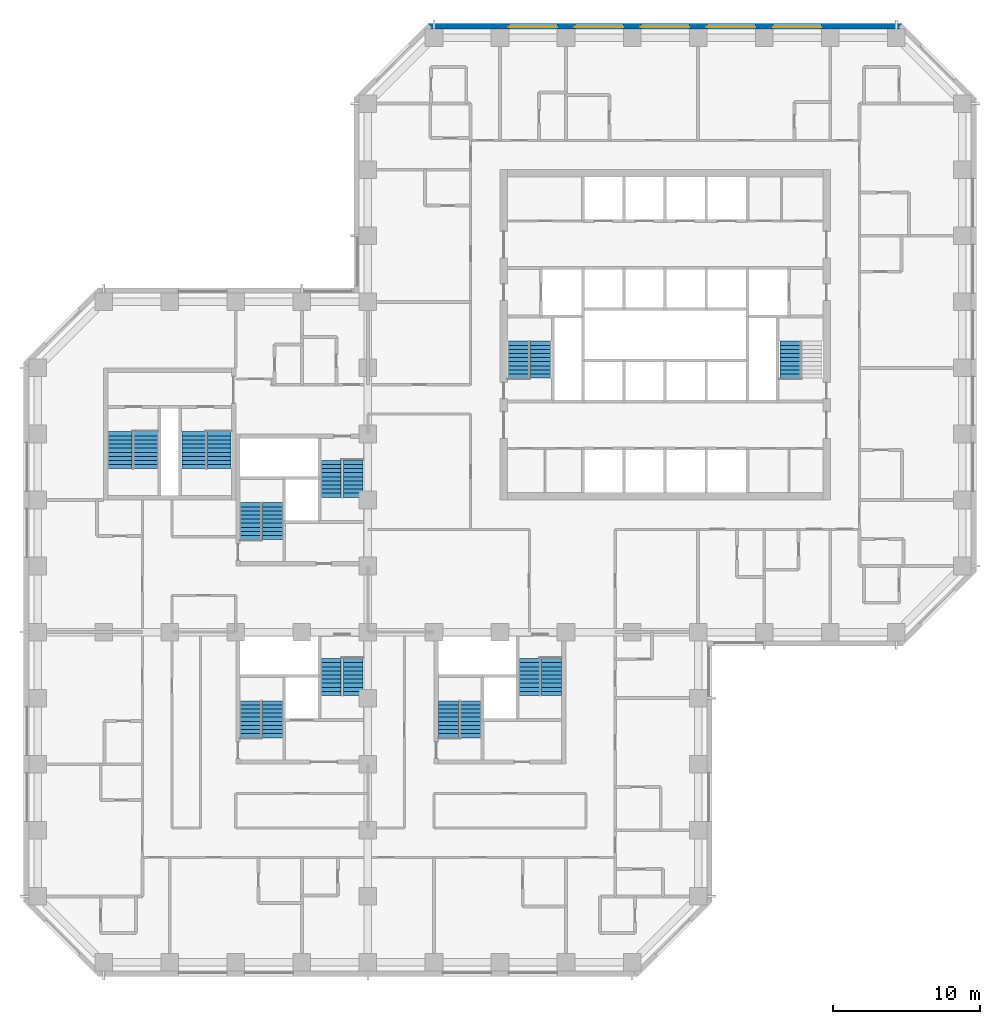
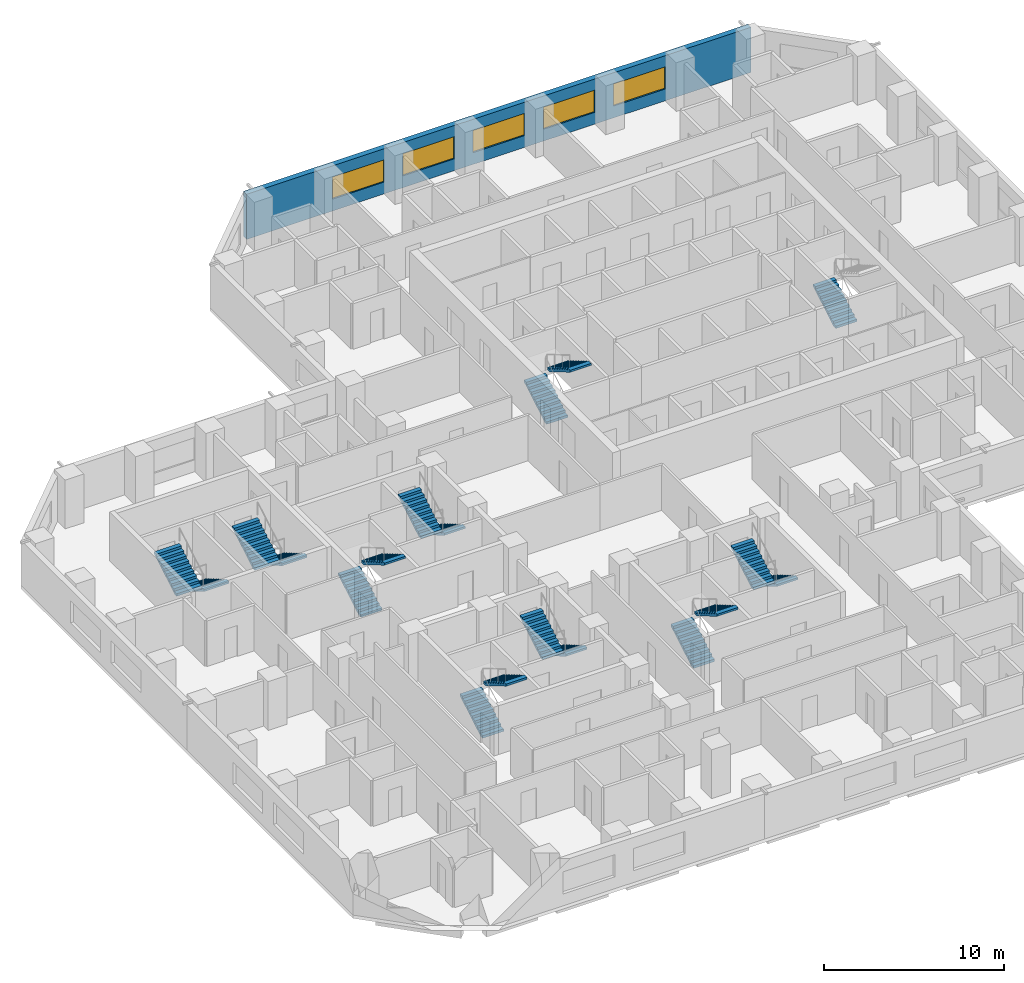
# One storey, part 11 of 13: 19 stair flights, 5 windows, 1 wall, 5 openings, 10 elements without a shape of their own.
"""IFC4 building model written with IfcOpenShell, lengths in metres."""

from ifc_helpers import new_model, si_unit, direction, frame, frame_2d, origin, place, context, subcontext, project, spatial, polyline, rectangle, outline, extrude, material, layer, layer_set, constituent, constituent_set, type_object, element, fill, aggregate, save


model = new_model("IFC4")

# Units and contexts
model_context = context("Model", 3, precision=1e-05, world=origin(), true_north=direction((0.0, 1.0)))
body_context = subcontext(model_context, "Body", "Model", "MODEL_VIEW")
ifc_project = project(units=[si_unit("LENGTHUNIT", "METRE"), si_unit("AREAUNIT", "SQUARE_METRE"), si_unit("VOLUMEUNIT", "CUBIC_METRE"), si_unit("PLANEANGLEUNIT", "RADIAN"), si_unit("MASSUNIT", "GRAM", prefix="KILO")], contexts=[model_context])

# Site, building, storey
site_placement = place(None, origin())
site = spatial("IfcSite", under=ifc_project, at=site_placement, CompositionType="ELEMENT")
building_placement = place(site_placement, origin())
building = spatial("IfcBuilding", under=site, at=building_placement, Name="Quoin Convention Tower", CompositionType="ELEMENT")
storey_placement = place(building_placement, frame((0.0, 0.0, 62.699951171875)))
storey = spatial("IfcBuildingStorey", under=building, at=storey_placement, Name="L16", CompositionType="ELEMENT", Elevation=62.699951171875)

# Wall, openings, windows
ifc_material_1 = material(Name="Brick masonry", Category="masonry")
ifc_layer = layer(ifc_material_1, 0.35009765625)
ifc_layer_set = layer_set([ifc_layer], Name="Brick masonry")
wall_type = type_object("IfcWallType", Name="Brick facade wall", PredefinedType="STANDARD", material=ifc_layer_set)
wall_placement = place(storey_placement, frame((72.3935546875, 81.77490234375, 0.0), z_axis=(0.0, 0.0, 1.0), x_axis=(-1.0, 0.0, 0.0)))
wall = element("IfcWall", 1, at=wall_placement, inside=storey, type_object=wall_type, Name="fw-L16-72000_81000", PredefinedType="STANDARD", context=body_context, shape_type="SweptSolid", body=[
    extrude(rectangle(XDim=32.287109375, YDim=0.35009765625, at=frame_2d((16.1435546875, 0.0))), origin(), (0.0, 0.0, 1.0), 3.054931640625),
])
opening_1_placement = place(wall_placement, frame((5.493408203125, 0.0, 0.800048828125)))
opening_1 = element("IfcOpeningElement", 2, at=opening_1_placement, cuts=wall, Name="Opening W-01", PredefinedType="OPENING", context=body_context, shape_type="SweptSolid", body=[
    extrude(rectangle(XDim=3.300048828125, YDim=1.5, at=frame_2d((1.64990234375, 0.75))), frame((0.0, 0.18505859375, 0.0), z_axis=(0.0, -1.0, 0.0), x_axis=(1.0, 0.0, 0.0)), (0.0, 0.0, 1.0), 0.3701171875),
])
opening_2_placement = place(wall_placement, frame((9.993408203125, 0.0, 0.800048828125)))
opening_2 = element("IfcOpeningElement", 3, at=opening_2_placement, cuts=wall, Name="Opening W-01", PredefinedType="OPENING", context=body_context, shape_type="SweptSolid", body=[
    extrude(rectangle(XDim=3.300048828125, YDim=1.5, at=frame_2d((1.64990234375, 0.75))), frame((0.0, 0.18505859375, 0.0), z_axis=(0.0, -1.0, 0.0), x_axis=(1.0, 0.0, 0.0)), (0.0, 0.0, 1.0), 0.3701171875),
])
opening_3_placement = place(wall_placement, frame((14.493408203125, 0.0, 0.800048828125)))
opening_3 = element("IfcOpeningElement", 4, at=opening_3_placement, cuts=wall, Name="Opening W-01", PredefinedType="OPENING", context=body_context, shape_type="SweptSolid", body=[
    extrude(rectangle(XDim=3.300048828125, YDim=1.5, at=frame_2d((1.64990234375, 0.75))), frame((0.0, 0.18505859375, 0.0), z_axis=(0.0, -1.0, 0.0), x_axis=(1.0, 0.0, 0.0)), (0.0, 0.0, 1.0), 0.3701171875),
])
opening_4_placement = place(wall_placement, frame((18.993408203125, 0.0, 0.800048828125)))
opening_4 = element("IfcOpeningElement", 5, at=opening_4_placement, cuts=wall, Name="Opening W-01", PredefinedType="OPENING", context=body_context, shape_type="SweptSolid", body=[
    extrude(rectangle(XDim=3.300048828125, YDim=1.5, at=frame_2d((1.64990234375, 0.75))), frame((0.0, 0.18505859375, 0.0), z_axis=(0.0, -1.0, 0.0), x_axis=(1.0, 0.0, 0.0)), (0.0, 0.0, 1.0), 0.3701171875),
])
opening_5_placement = place(wall_placement, frame((23.493408203125, 0.0, 0.800048828125)))
opening_5 = element("IfcOpeningElement", 6, at=opening_5_placement, cuts=wall, Name="Opening W-01", PredefinedType="OPENING", context=body_context, shape_type="SweptSolid", body=[
    extrude(rectangle(XDim=3.300048828125, YDim=1.5, at=frame_2d((1.64990234375, 0.75))), frame((0.0, 0.18505859375, 0.0), z_axis=(0.0, -1.0, 0.0), x_axis=(1.0, 0.0, 0.0)), (0.0, 0.0, 1.0), 0.3701171875),
])
ifc_material_2 = material(Name="Aluminium", Category="aluminium")
ifc_constituent_1 = constituent(ifc_material_2, Name="Frame")
ifc_material_3 = material(Name="Insulated glass", Category="glass")
ifc_constituent_2 = constituent(ifc_material_3, Name="Glazing")
ifc_constituent_set = constituent_set(constituents=[ifc_constituent_1, ifc_constituent_2], Name="Aluminium")
window_type = type_object("IfcWindowType", Name="Hotel strip window", PartitioningType="DOUBLE_PANEL_VERTICAL", PredefinedType="WINDOW", material=ifc_constituent_set)
window_1_placement = place(opening_1_placement, origin())
window_1 = element("IfcWindow", 7, at=window_1_placement, inside=storey, type_object=window_type, Name="win-L16-65250_81775", OverallHeight=1.5, OverallWidth=3.300048828125, PartitioningType="SINGLE_PANEL", PredefinedType="WINDOW", context=body_context, shape_type="SweptSolid", body=[
    extrude(rectangle(XDim=3.300048828125, YDim=1.5, at=frame_2d((1.64990234375, 0.75))), frame((0.0, 0.0849609375, 0.0), z_axis=(0.0, -1.0, 0.0), x_axis=(1.0, 0.0, 0.0)), (0.0, 0.0, 1.0), 0.06005859375),
])
fill(opening_1, window_1)
window_2_placement = place(opening_2_placement, origin())
window_2 = element("IfcWindow", 8, at=window_2_placement, inside=storey, type_object=window_type, Name="win-L16-60750_81775", OverallHeight=1.5, OverallWidth=3.300048828125, PartitioningType="SINGLE_PANEL", PredefinedType="WINDOW", context=body_context, shape_type="SweptSolid", body=[
    extrude(rectangle(XDim=3.300048828125, YDim=1.5, at=frame_2d((1.64990234375, 0.75))), frame((0.0, 0.0849609375, 0.0), z_axis=(0.0, -1.0, 0.0), x_axis=(1.0, 0.0, 0.0)), (0.0, 0.0, 1.0), 0.06005859375),
])
fill(opening_2, window_2)
window_3_placement = place(opening_3_placement, origin())
window_3 = element("IfcWindow", 9, at=window_3_placement, inside=storey, type_object=window_type, Name="win-L16-56250_81775", OverallHeight=1.5, OverallWidth=3.300048828125, PartitioningType="SINGLE_PANEL", PredefinedType="WINDOW", context=body_context, shape_type="SweptSolid", body=[
    extrude(rectangle(XDim=3.300048828125, YDim=1.5, at=frame_2d((1.64990234375, 0.75))), frame((0.0, 0.0849609375, 0.0), z_axis=(0.0, -1.0, 0.0), x_axis=(1.0, 0.0, 0.0)), (0.0, 0.0, 1.0), 0.06005859375),
])
fill(opening_3, window_3)
window_4_placement = place(opening_4_placement, origin())
window_4 = element("IfcWindow", 10, at=window_4_placement, inside=storey, type_object=window_type, Name="win-L16-51750_81775", OverallHeight=1.5, OverallWidth=3.300048828125, PartitioningType="SINGLE_PANEL", PredefinedType="WINDOW", context=body_context, shape_type="SweptSolid", body=[
    extrude(rectangle(XDim=3.300048828125, YDim=1.5, at=frame_2d((1.64990234375, 0.75))), frame((0.0, 0.0849609375, 0.0), z_axis=(0.0, -1.0, 0.0), x_axis=(1.0, 0.0, 0.0)), (0.0, 0.0, 1.0), 0.06005859375),
])
fill(opening_4, window_4)
window_5_placement = place(opening_5_placement, origin())
window_5 = element("IfcWindow", 11, at=window_5_placement, inside=storey, type_object=window_type, Name="win-L16-47250_81775", OverallHeight=1.5, OverallWidth=3.300048828125, PartitioningType="SINGLE_PANEL", PredefinedType="WINDOW", context=body_context, shape_type="SweptSolid", body=[
    extrude(rectangle(XDim=3.300048828125, YDim=1.5, at=frame_2d((1.64990234375, 0.75))), frame((0.0, 0.0849609375, 0.0), z_axis=(0.0, -1.0, 0.0), x_axis=(1.0, 0.0, 0.0)), (0.0, 0.0, 1.0), 0.06005859375),
])
fill(opening_5, window_5)

# Stair, stair flights
ifc_material_4 = material(Name="Concrete C40", Category="concrete")
stair_type_1 = type_object("IfcStairType", Name="Exit stair two-flight 1350", PredefinedType="HALF_TURN_STAIR", material=ifc_material_4)
stair_1_placement = place(storey_placement, origin())
stair_1 = element("IfcStair", 12, at=stair_1_placement, inside=storey, type_object=stair_type_1, Name="SD1 L16", PredefinedType="HALF_TURN_STAIR")
stair_flight_type_1 = type_object("IfcStairFlightType", Name="Stair flight 1350", PredefinedType="STRAIGHT", material=ifc_material_4)
stair_flight_1_placement = place(storey_placement, frame((46.25, 57.800048828125, 0.0), z_axis=(0.0, 0.0, 1.0), x_axis=(0.0, 1.0, 0.0)))
stair_flight_1 = element("IfcStairFlight", 13, at=stair_flight_1_placement, type_object=stair_flight_type_1, Name="ST1 flight 1", NumberOfRisers=10, NumberOfTreads=9, PredefinedType="STRAIGHT", RiserHeight=0.165, TreadLength=0.28, context=body_context, shape_type="SweptSolid", body=[
    extrude(outline(polyline([(0.0, 0.0), (0.0, 0.1650390625), (0.280029296875, 0.1650390625), (0.280029296875, 0.330078125), (0.56005859375, 0.330078125), (0.56005859375, 0.4951171875), (0.840087890625, 0.4951171875), (0.840087890625, 0.659912109375), (1.1201171875, 0.659912109375), (1.1201171875, 0.824951171875), (1.39990234375, 0.824951171875), (1.39990234375, 0.989990234375), (1.679931640625, 0.989990234375), (1.679931640625, 1.155029296875), (1.9599609375, 1.155029296875), (1.9599609375, 1.320068359375), (2.239990234375, 1.320068359375), (2.239990234375, 1.485107421875), (2.52001953125, 1.485107421875), (2.52001953125, 1.64990234375), (2.52001953125, 1.345458984375), (0.236572265625, 0.0), (0.0, 0.0)])), frame((0.0, 0.675048828125, 0.0), z_axis=(0.0, -1.0, 0.0), x_axis=(1.0, 0.0, 0.0)), (0.0, 0.0, 1.0), 1.35009765625),
])
stair_flight_2_placement = place(storey_placement, frame((47.75, 60.320068359375, 1.650146484375), z_axis=(0.0, 0.0, 1.0), x_axis=(0.0, -1.0, 0.0)))
stair_flight_2 = element("IfcStairFlight", 14, at=stair_flight_2_placement, type_object=stair_flight_type_1, Name="ST1 flight 2", NumberOfRisers=10, NumberOfTreads=9, PredefinedType="STRAIGHT", RiserHeight=0.165, TreadLength=0.28, context=body_context, shape_type="SweptSolid", body=[
    extrude(outline(polyline([(0.0, 0.0), (0.0, 0.1650390625), (0.280029296875, 0.1650390625), (0.280029296875, 0.330078125), (0.56005859375, 0.330078125), (0.56005859375, 0.4951171875), (0.840087890625, 0.4951171875), (0.840087890625, 0.659912109375), (1.1201171875, 0.659912109375), (1.1201171875, 0.824951171875), (1.39990234375, 0.824951171875), (1.39990234375, 0.989990234375), (1.679931640625, 0.989990234375), (1.679931640625, 1.155029296875), (1.9599609375, 1.155029296875), (1.9599609375, 1.320068359375), (2.239990234375, 1.320068359375), (2.239990234375, 1.485107421875), (2.52001953125, 1.485107421875), (2.52001953125, 1.64990234375), (2.52001953125, 1.345458984375), (0.236572265625, 0.0), (0.0, 0.0)])), frame((0.0, 0.675048828125, 0.0), z_axis=(0.0, -1.0, 0.0), x_axis=(1.0, 0.0, 0.0)), (0.0, 0.0, 1.0), 1.35009765625),
])
aggregate(stair_1, [stair_flight_1, stair_flight_2])

# Stair, stair flight
stair_2_placement = place(storey_placement, origin())
stair_2 = element("IfcStair", 15, at=stair_2_placement, inside=storey, type_object=stair_type_1, Name="SD2 L16", PredefinedType="HALF_TURN_STAIR")
stair_flight_3_placement = place(storey_placement, frame((64.75, 57.800048828125, 0.0), z_axis=(0.0, 0.0, 1.0), x_axis=(0.0, 1.0, 0.0)))
stair_flight_3 = element("IfcStairFlight", 16, at=stair_flight_3_placement, type_object=stair_flight_type_1, Name="ST2 flight 1", NumberOfRisers=10, NumberOfTreads=9, PredefinedType="STRAIGHT", RiserHeight=0.165, TreadLength=0.28, context=body_context, shape_type="SweptSolid", body=[
    extrude(outline(polyline([(0.0, 0.0), (0.0, 0.1650390625), (0.280029296875, 0.1650390625), (0.280029296875, 0.330078125), (0.56005859375, 0.330078125), (0.56005859375, 0.4951171875), (0.840087890625, 0.4951171875), (0.840087890625, 0.659912109375), (1.1201171875, 0.659912109375), (1.1201171875, 0.824951171875), (1.39990234375, 0.824951171875), (1.39990234375, 0.989990234375), (1.679931640625, 0.989990234375), (1.679931640625, 1.155029296875), (1.9599609375, 1.155029296875), (1.9599609375, 1.320068359375), (2.239990234375, 1.320068359375), (2.239990234375, 1.485107421875), (2.52001953125, 1.485107421875), (2.52001953125, 1.64990234375), (2.52001953125, 1.345458984375), (0.236572265625, 0.0), (0.0, 0.0)])), frame((0.0, 0.675048828125, 0.0), z_axis=(0.0, -1.0, 0.0), x_axis=(1.0, 0.0, 0.0)), (0.0, 0.0, 1.0), 1.35009765625),
])
aggregate(stair_2, [stair_flight_3])

# Stair, stair flights
stair_3_placement = place(storey_placement, origin())
stair_3 = element("IfcStair", 17, at=stair_3_placement, inside=storey, type_object=stair_type_1, Name="SD3 L16", PredefinedType="HALF_TURN_STAIR")
stair_flight_4_placement = place(storey_placement, frame((28.0, 46.800048828125, 0.0), z_axis=(0.0, 0.0, 1.0), x_axis=(0.0, 1.0, 0.0)))
stair_flight_4 = element("IfcStairFlight", 18, at=stair_flight_4_placement, type_object=stair_flight_type_1, Name="ST3 flight 1", NumberOfRisers=10, NumberOfTreads=9, PredefinedType="STRAIGHT", RiserHeight=0.165, TreadLength=0.28, context=body_context, shape_type="SweptSolid", body=[
    extrude(outline(polyline([(0.0, 0.0), (0.0, 0.1650390625), (0.280029296875, 0.1650390625), (0.280029296875, 0.330078125), (0.56005859375, 0.330078125), (0.56005859375, 0.4951171875), (0.840087890625, 0.4951171875), (0.840087890625, 0.659912109375), (1.1201171875, 0.659912109375), (1.1201171875, 0.824951171875), (1.39990234375, 0.824951171875), (1.39990234375, 0.989990234375), (1.679931640625, 0.989990234375), (1.679931640625, 1.155029296875), (1.9599609375, 1.155029296875), (1.9599609375, 1.320068359375), (2.239990234375, 1.320068359375), (2.239990234375, 1.485107421875), (2.52001953125, 1.485107421875), (2.52001953125, 1.64990234375), (2.52001953125, 1.345458984375), (0.236572265625, 0.0), (0.0, 0.0)])), frame((0.0, 0.675048828125, 0.0), z_axis=(0.0, -1.0, 0.0), x_axis=(1.0, 0.0, 0.0)), (0.0, 0.0, 1.0), 1.35009765625),
])
stair_flight_5_placement = place(storey_placement, frame((29.5, 49.320068359375, 1.650146484375), z_axis=(0.0, 0.0, 1.0), x_axis=(0.0, -1.0, 0.0)))
stair_flight_5 = element("IfcStairFlight", 19, at=stair_flight_5_placement, type_object=stair_flight_type_1, Name="ST3 flight 2", NumberOfRisers=10, NumberOfTreads=9, PredefinedType="STRAIGHT", RiserHeight=0.165, TreadLength=0.28, context=body_context, shape_type="SweptSolid", body=[
    extrude(outline(polyline([(0.0, 0.0), (0.0, 0.1650390625), (0.280029296875, 0.1650390625), (0.280029296875, 0.330078125), (0.56005859375, 0.330078125), (0.56005859375, 0.4951171875), (0.840087890625, 0.4951171875), (0.840087890625, 0.659912109375), (1.1201171875, 0.659912109375), (1.1201171875, 0.824951171875), (1.39990234375, 0.824951171875), (1.39990234375, 0.989990234375), (1.679931640625, 0.989990234375), (1.679931640625, 1.155029296875), (1.9599609375, 1.155029296875), (1.9599609375, 1.320068359375), (2.239990234375, 1.320068359375), (2.239990234375, 1.485107421875), (2.52001953125, 1.485107421875), (2.52001953125, 1.64990234375), (2.52001953125, 1.345458984375), (0.236572265625, 0.0), (0.0, 0.0)])), frame((0.0, 0.675048828125, 0.0), z_axis=(0.0, -1.0, 0.0), x_axis=(1.0, 0.0, 0.0)), (0.0, 0.0, 1.0), 1.35009765625),
])
aggregate(stair_3, [stair_flight_4, stair_flight_5])

stair_4_placement = place(storey_placement, origin())
stair_4 = element("IfcStair", 20, at=stair_4_placement, inside=storey, type_object=stair_type_1, Name="SD4 L16", PredefinedType="HALF_TURN_STAIR")
stair_flight_6_placement = place(storey_placement, frame((35.0, 52.199951171875, 0.0), z_axis=(0.0, 0.0, 1.0), x_axis=(0.0, -1.0, 0.0)))
stair_flight_6 = element("IfcStairFlight", 21, at=stair_flight_6_placement, type_object=stair_flight_type_1, Name="ST4 flight 1", NumberOfRisers=10, NumberOfTreads=9, PredefinedType="STRAIGHT", RiserHeight=0.165, TreadLength=0.28, context=body_context, shape_type="SweptSolid", body=[
    extrude(outline(polyline([(0.0, 0.0), (0.0, 0.1650390625), (0.280029296875, 0.1650390625), (0.280029296875, 0.330078125), (0.56005859375, 0.330078125), (0.56005859375, 0.4951171875), (0.840087890625, 0.4951171875), (0.840087890625, 0.659912109375), (1.1201171875, 0.659912109375), (1.1201171875, 0.824951171875), (1.39990234375, 0.824951171875), (1.39990234375, 0.989990234375), (1.679931640625, 0.989990234375), (1.679931640625, 1.155029296875), (1.9599609375, 1.155029296875), (1.9599609375, 1.320068359375), (2.239990234375, 1.320068359375), (2.239990234375, 1.485107421875), (2.52001953125, 1.485107421875), (2.52001953125, 1.64990234375), (2.52001953125, 1.345458984375), (0.236572265625, 0.0), (0.0, 0.0)])), frame((0.0, 0.675048828125, 0.0), z_axis=(0.0, -1.0, 0.0), x_axis=(1.0, 0.0, 0.0)), (0.0, 0.0, 1.0), 1.35009765625),
])
stair_flight_7_placement = place(storey_placement, frame((33.5, 49.679931640625, 1.650146484375), z_axis=(0.0, 0.0, 1.0), x_axis=(0.0, 1.0, 0.0)))
stair_flight_7 = element("IfcStairFlight", 22, at=stair_flight_7_placement, type_object=stair_flight_type_1, Name="ST4 flight 2", NumberOfRisers=10, NumberOfTreads=9, PredefinedType="STRAIGHT", RiserHeight=0.165, TreadLength=0.28, context=body_context, shape_type="SweptSolid", body=[
    extrude(outline(polyline([(0.0, 0.0), (0.0, 0.1650390625), (0.280029296875, 0.1650390625), (0.280029296875, 0.330078125), (0.56005859375, 0.330078125), (0.56005859375, 0.4951171875), (0.840087890625, 0.4951171875), (0.840087890625, 0.659912109375), (1.1201171875, 0.659912109375), (1.1201171875, 0.824951171875), (1.39990234375, 0.824951171875), (1.39990234375, 0.989990234375), (1.679931640625, 0.989990234375), (1.679931640625, 1.155029296875), (1.9599609375, 1.155029296875), (1.9599609375, 1.320068359375), (2.239990234375, 1.320068359375), (2.239990234375, 1.485107421875), (2.52001953125, 1.485107421875), (2.52001953125, 1.64990234375), (2.52001953125, 1.345458984375), (0.236572265625, 0.0), (0.0, 0.0)])), frame((0.0, 0.675048828125, 0.0), z_axis=(0.0, -1.0, 0.0), x_axis=(1.0, 0.0, 0.0)), (0.0, 0.0, 1.0), 1.35009765625),
])
aggregate(stair_4, [stair_flight_6, stair_flight_7])

stair_5_placement = place(storey_placement, origin())
stair_5 = element("IfcStair", 23, at=stair_5_placement, inside=storey, type_object=stair_type_1, Name="SD5 L16", PredefinedType="HALF_TURN_STAIR")
stair_flight_8_placement = place(storey_placement, frame((41.5, 33.300048828125, 0.0), z_axis=(0.0, 0.0, 1.0), x_axis=(0.0, 1.0, 0.0)))
stair_flight_8 = element("IfcStairFlight", 24, at=stair_flight_8_placement, type_object=stair_flight_type_1, Name="ST5 flight 1", NumberOfRisers=10, NumberOfTreads=9, PredefinedType="STRAIGHT", RiserHeight=0.165, TreadLength=0.28, context=body_context, shape_type="SweptSolid", body=[
    extrude(outline(polyline([(0.0, 0.0), (0.0, 0.1650390625), (0.280029296875, 0.1650390625), (0.280029296875, 0.330078125), (0.56005859375, 0.330078125), (0.56005859375, 0.4951171875), (0.840087890625, 0.4951171875), (0.840087890625, 0.659912109375), (1.1201171875, 0.659912109375), (1.1201171875, 0.824951171875), (1.39990234375, 0.824951171875), (1.39990234375, 0.989990234375), (1.679931640625, 0.989990234375), (1.679931640625, 1.155029296875), (1.9599609375, 1.155029296875), (1.9599609375, 1.320068359375), (2.239990234375, 1.320068359375), (2.239990234375, 1.485107421875), (2.52001953125, 1.485107421875), (2.52001953125, 1.64990234375), (2.52001953125, 1.345458984375), (0.236572265625, 0.0), (0.0, 0.0)])), frame((0.0, 0.675048828125, 0.0), z_axis=(0.0, -1.0, 0.0), x_axis=(1.0, 0.0, 0.0)), (0.0, 0.0, 1.0), 1.35009765625),
])
stair_flight_9_placement = place(storey_placement, frame((43.0, 35.820068359375, 1.650146484375), z_axis=(0.0, 0.0, 1.0), x_axis=(0.0, -1.0, 0.0)))
stair_flight_9 = element("IfcStairFlight", 25, at=stair_flight_9_placement, type_object=stair_flight_type_1, Name="ST5 flight 2", NumberOfRisers=10, NumberOfTreads=9, PredefinedType="STRAIGHT", RiserHeight=0.165, TreadLength=0.28, context=body_context, shape_type="SweptSolid", body=[
    extrude(outline(polyline([(0.0, 0.0), (0.0, 0.1650390625), (0.280029296875, 0.1650390625), (0.280029296875, 0.330078125), (0.56005859375, 0.330078125), (0.56005859375, 0.4951171875), (0.840087890625, 0.4951171875), (0.840087890625, 0.659912109375), (1.1201171875, 0.659912109375), (1.1201171875, 0.824951171875), (1.39990234375, 0.824951171875), (1.39990234375, 0.989990234375), (1.679931640625, 0.989990234375), (1.679931640625, 1.155029296875), (1.9599609375, 1.155029296875), (1.9599609375, 1.320068359375), (2.239990234375, 1.320068359375), (2.239990234375, 1.485107421875), (2.52001953125, 1.485107421875), (2.52001953125, 1.64990234375), (2.52001953125, 1.345458984375), (0.236572265625, 0.0), (0.0, 0.0)])), frame((0.0, 0.675048828125, 0.0), z_axis=(0.0, -1.0, 0.0), x_axis=(1.0, 0.0, 0.0)), (0.0, 0.0, 1.0), 1.35009765625),
])
aggregate(stair_5, [stair_flight_8, stair_flight_9])

stair_6_placement = place(storey_placement, origin())
stair_6 = element("IfcStair", 26, at=stair_6_placement, inside=storey, type_object=stair_type_1, Name="SD6 L16", PredefinedType="HALF_TURN_STAIR")
stair_flight_10_placement = place(storey_placement, frame((48.5, 38.699951171875, 0.0), z_axis=(0.0, 0.0, 1.0), x_axis=(0.0, -1.0, 0.0)))
stair_flight_10 = element("IfcStairFlight", 27, at=stair_flight_10_placement, type_object=stair_flight_type_1, Name="ST6 flight 1", NumberOfRisers=10, NumberOfTreads=9, PredefinedType="STRAIGHT", RiserHeight=0.165, TreadLength=0.28, context=body_context, shape_type="SweptSolid", body=[
    extrude(outline(polyline([(0.0, 0.0), (0.0, 0.1650390625), (0.280029296875, 0.1650390625), (0.280029296875, 0.330078125), (0.56005859375, 0.330078125), (0.56005859375, 0.4951171875), (0.840087890625, 0.4951171875), (0.840087890625, 0.659912109375), (1.1201171875, 0.659912109375), (1.1201171875, 0.824951171875), (1.39990234375, 0.824951171875), (1.39990234375, 0.989990234375), (1.679931640625, 0.989990234375), (1.679931640625, 1.155029296875), (1.9599609375, 1.155029296875), (1.9599609375, 1.320068359375), (2.239990234375, 1.320068359375), (2.239990234375, 1.485107421875), (2.52001953125, 1.485107421875), (2.52001953125, 1.64990234375), (2.52001953125, 1.345458984375), (0.236572265625, 0.0), (0.0, 0.0)])), frame((0.0, 0.675048828125, 0.0), z_axis=(0.0, -1.0, 0.0), x_axis=(1.0, 0.0, 0.0)), (0.0, 0.0, 1.0), 1.35009765625),
])
stair_flight_11_placement = place(storey_placement, frame((47.0, 36.179931640625, 1.650146484375), z_axis=(0.0, 0.0, 1.0), x_axis=(0.0, 1.0, 0.0)))
stair_flight_11 = element("IfcStairFlight", 28, at=stair_flight_11_placement, type_object=stair_flight_type_1, Name="ST6 flight 2", NumberOfRisers=10, NumberOfTreads=9, PredefinedType="STRAIGHT", RiserHeight=0.165, TreadLength=0.28, context=body_context, shape_type="SweptSolid", body=[
    extrude(outline(polyline([(0.0, 0.0), (0.0, 0.1650390625), (0.280029296875, 0.1650390625), (0.280029296875, 0.330078125), (0.56005859375, 0.330078125), (0.56005859375, 0.4951171875), (0.840087890625, 0.4951171875), (0.840087890625, 0.659912109375), (1.1201171875, 0.659912109375), (1.1201171875, 0.824951171875), (1.39990234375, 0.824951171875), (1.39990234375, 0.989990234375), (1.679931640625, 0.989990234375), (1.679931640625, 1.155029296875), (1.9599609375, 1.155029296875), (1.9599609375, 1.320068359375), (2.239990234375, 1.320068359375), (2.239990234375, 1.485107421875), (2.52001953125, 1.485107421875), (2.52001953125, 1.64990234375), (2.52001953125, 1.345458984375), (0.236572265625, 0.0), (0.0, 0.0)])), frame((0.0, 0.675048828125, 0.0), z_axis=(0.0, -1.0, 0.0), x_axis=(1.0, 0.0, 0.0)), (0.0, 0.0, 1.0), 1.35009765625),
])
aggregate(stair_6, [stair_flight_10, stair_flight_11])

stair_7_placement = place(storey_placement, origin())
stair_7 = element("IfcStair", 29, at=stair_7_placement, inside=storey, type_object=stair_type_1, Name="SD7 L16", PredefinedType="HALF_TURN_STAIR")
stair_flight_12_placement = place(storey_placement, frame((28.0, 33.300048828125, 0.0), z_axis=(0.0, 0.0, 1.0), x_axis=(0.0, 1.0, 0.0)))
stair_flight_12 = element("IfcStairFlight", 30, at=stair_flight_12_placement, type_object=stair_flight_type_1, Name="ST7 flight 1", NumberOfRisers=10, NumberOfTreads=9, PredefinedType="STRAIGHT", RiserHeight=0.165, TreadLength=0.28, context=body_context, shape_type="SweptSolid", body=[
    extrude(outline(polyline([(0.0, 0.0), (0.0, 0.1650390625), (0.280029296875, 0.1650390625), (0.280029296875, 0.330078125), (0.56005859375, 0.330078125), (0.56005859375, 0.4951171875), (0.840087890625, 0.4951171875), (0.840087890625, 0.659912109375), (1.1201171875, 0.659912109375), (1.1201171875, 0.824951171875), (1.39990234375, 0.824951171875), (1.39990234375, 0.989990234375), (1.679931640625, 0.989990234375), (1.679931640625, 1.155029296875), (1.9599609375, 1.155029296875), (1.9599609375, 1.320068359375), (2.239990234375, 1.320068359375), (2.239990234375, 1.485107421875), (2.52001953125, 1.485107421875), (2.52001953125, 1.64990234375), (2.52001953125, 1.345458984375), (0.236572265625, 0.0), (0.0, 0.0)])), frame((0.0, 0.675048828125, 0.0), z_axis=(0.0, -1.0, 0.0), x_axis=(1.0, 0.0, 0.0)), (0.0, 0.0, 1.0), 1.35009765625),
])
stair_flight_13_placement = place(storey_placement, frame((29.5, 35.820068359375, 1.650146484375), z_axis=(0.0, 0.0, 1.0), x_axis=(0.0, -1.0, 0.0)))
stair_flight_13 = element("IfcStairFlight", 31, at=stair_flight_13_placement, type_object=stair_flight_type_1, Name="ST7 flight 2", NumberOfRisers=10, NumberOfTreads=9, PredefinedType="STRAIGHT", RiserHeight=0.165, TreadLength=0.28, context=body_context, shape_type="SweptSolid", body=[
    extrude(outline(polyline([(0.0, 0.0), (0.0, 0.1650390625), (0.280029296875, 0.1650390625), (0.280029296875, 0.330078125), (0.56005859375, 0.330078125), (0.56005859375, 0.4951171875), (0.840087890625, 0.4951171875), (0.840087890625, 0.659912109375), (1.1201171875, 0.659912109375), (1.1201171875, 0.824951171875), (1.39990234375, 0.824951171875), (1.39990234375, 0.989990234375), (1.679931640625, 0.989990234375), (1.679931640625, 1.155029296875), (1.9599609375, 1.155029296875), (1.9599609375, 1.320068359375), (2.239990234375, 1.320068359375), (2.239990234375, 1.485107421875), (2.52001953125, 1.485107421875), (2.52001953125, 1.64990234375), (2.52001953125, 1.345458984375), (0.236572265625, 0.0), (0.0, 0.0)])), frame((0.0, 0.675048828125, 0.0), z_axis=(0.0, -1.0, 0.0), x_axis=(1.0, 0.0, 0.0)), (0.0, 0.0, 1.0), 1.35009765625),
])
aggregate(stair_7, [stair_flight_12, stair_flight_13])

stair_8_placement = place(storey_placement, origin())
stair_8 = element("IfcStair", 32, at=stair_8_placement, inside=storey, type_object=stair_type_1, Name="SD8 L16", PredefinedType="HALF_TURN_STAIR")
stair_flight_14_placement = place(storey_placement, frame((35.0, 38.699951171875, 0.0), z_axis=(0.0, 0.0, 1.0), x_axis=(0.0, -1.0, 0.0)))
stair_flight_14 = element("IfcStairFlight", 33, at=stair_flight_14_placement, type_object=stair_flight_type_1, Name="ST8 flight 1", NumberOfRisers=10, NumberOfTreads=9, PredefinedType="STRAIGHT", RiserHeight=0.165, TreadLength=0.28, context=body_context, shape_type="SweptSolid", body=[
    extrude(outline(polyline([(0.0, 0.0), (0.0, 0.1650390625), (0.280029296875, 0.1650390625), (0.280029296875, 0.330078125), (0.56005859375, 0.330078125), (0.56005859375, 0.4951171875), (0.840087890625, 0.4951171875), (0.840087890625, 0.659912109375), (1.1201171875, 0.659912109375), (1.1201171875, 0.824951171875), (1.39990234375, 0.824951171875), (1.39990234375, 0.989990234375), (1.679931640625, 0.989990234375), (1.679931640625, 1.155029296875), (1.9599609375, 1.155029296875), (1.9599609375, 1.320068359375), (2.239990234375, 1.320068359375), (2.239990234375, 1.485107421875), (2.52001953125, 1.485107421875), (2.52001953125, 1.64990234375), (2.52001953125, 1.345458984375), (0.236572265625, 0.0), (0.0, 0.0)])), frame((0.0, 0.675048828125, 0.0), z_axis=(0.0, -1.0, 0.0), x_axis=(1.0, 0.0, 0.0)), (0.0, 0.0, 1.0), 1.35009765625),
])
stair_flight_15_placement = place(storey_placement, frame((33.5, 36.179931640625, 1.650146484375), z_axis=(0.0, 0.0, 1.0), x_axis=(0.0, 1.0, 0.0)))
stair_flight_15 = element("IfcStairFlight", 34, at=stair_flight_15_placement, type_object=stair_flight_type_1, Name="ST8 flight 2", NumberOfRisers=10, NumberOfTreads=9, PredefinedType="STRAIGHT", RiserHeight=0.165, TreadLength=0.28, context=body_context, shape_type="SweptSolid", body=[
    extrude(outline(polyline([(0.0, 0.0), (0.0, 0.1650390625), (0.280029296875, 0.1650390625), (0.280029296875, 0.330078125), (0.56005859375, 0.330078125), (0.56005859375, 0.4951171875), (0.840087890625, 0.4951171875), (0.840087890625, 0.659912109375), (1.1201171875, 0.659912109375), (1.1201171875, 0.824951171875), (1.39990234375, 0.824951171875), (1.39990234375, 0.989990234375), (1.679931640625, 0.989990234375), (1.679931640625, 1.155029296875), (1.9599609375, 1.155029296875), (1.9599609375, 1.320068359375), (2.239990234375, 1.320068359375), (2.239990234375, 1.485107421875), (2.52001953125, 1.485107421875), (2.52001953125, 1.64990234375), (2.52001953125, 1.345458984375), (0.236572265625, 0.0), (0.0, 0.0)])), frame((0.0, 0.675048828125, 0.0), z_axis=(0.0, -1.0, 0.0), x_axis=(1.0, 0.0, 0.0)), (0.0, 0.0, 1.0), 1.35009765625),
])
aggregate(stair_8, [stair_flight_14, stair_flight_15])

stair_type_2 = type_object("IfcStairType", Name="Exit stair two-flight 1600", PredefinedType="HALF_TURN_STAIR", material=ifc_material_4)
stair_9_placement = place(storey_placement, origin())
stair_9 = element("IfcStair", 35, at=stair_9_placement, inside=storey, type_object=stair_type_2, Name="SD11 L16", PredefinedType="HALF_TURN_STAIR")
stair_flight_type_2 = type_object("IfcStairFlightType", Name="Stair flight 1600", PredefinedType="STRAIGHT", material=ifc_material_4)
stair_flight_16_placement = place(storey_placement, frame((20.875, 54.14990234375, 0.0), z_axis=(0.0, 0.0, 1.0), x_axis=(0.0, -1.0, 0.0)))
stair_flight_16 = element("IfcStairFlight", 36, at=stair_flight_16_placement, type_object=stair_flight_type_2, Name="ST11 flight 1", NumberOfRisers=10, NumberOfTreads=9, PredefinedType="STRAIGHT", RiserHeight=0.165, TreadLength=0.28, context=body_context, shape_type="SweptSolid", body=[
    extrude(outline(polyline([(0.0, 0.0), (0.0, 0.1650390625), (0.280029296875, 0.1650390625), (0.280029296875, 0.330078125), (0.56005859375, 0.330078125), (0.56005859375, 0.4951171875), (0.840087890625, 0.4951171875), (0.840087890625, 0.659912109375), (1.1201171875, 0.659912109375), (1.1201171875, 0.824951171875), (1.39990234375, 0.824951171875), (1.39990234375, 0.989990234375), (1.679931640625, 0.989990234375), (1.679931640625, 1.155029296875), (1.9599609375, 1.155029296875), (1.9599609375, 1.320068359375), (2.239990234375, 1.320068359375), (2.239990234375, 1.485107421875), (2.52001953125, 1.485107421875), (2.52001953125, 1.64990234375), (2.52001953125, 1.345458984375), (0.236572265625, 0.0), (0.0, 0.0)])), frame((0.0, 0.800048828125, 0.0), z_axis=(0.0, -1.0, 0.0), x_axis=(1.0, 0.0, 0.0)), (0.0, 0.0, 1.0), 1.60009765625),
])
stair_flight_17_placement = place(storey_placement, frame((19.125, 51.6298828125, 1.650146484375), z_axis=(0.0, 0.0, 1.0), x_axis=(0.0, 1.0, 0.0)))
stair_flight_17 = element("IfcStairFlight", 37, at=stair_flight_17_placement, type_object=stair_flight_type_2, Name="ST11 flight 2", NumberOfRisers=10, NumberOfTreads=9, PredefinedType="STRAIGHT", RiserHeight=0.165, TreadLength=0.28, context=body_context, shape_type="SweptSolid", body=[
    extrude(outline(polyline([(0.0, 0.0), (0.0, 0.1650390625), (0.280029296875, 0.1650390625), (0.280029296875, 0.330078125), (0.56005859375, 0.330078125), (0.56005859375, 0.4951171875), (0.840087890625, 0.4951171875), (0.840087890625, 0.659912109375), (1.1201171875, 0.659912109375), (1.1201171875, 0.824951171875), (1.39990234375, 0.824951171875), (1.39990234375, 0.989990234375), (1.679931640625, 0.989990234375), (1.679931640625, 1.155029296875), (1.9599609375, 1.155029296875), (1.9599609375, 1.320068359375), (2.239990234375, 1.320068359375), (2.239990234375, 1.485107421875), (2.52001953125, 1.485107421875), (2.52001953125, 1.64990234375), (2.52001953125, 1.345458984375), (0.236572265625, 0.0), (0.0, 0.0)])), frame((0.0, 0.800048828125, 0.0), z_axis=(0.0, -1.0, 0.0), x_axis=(1.0, 0.0, 0.0)), (0.0, 0.0, 1.0), 1.60009765625),
])
aggregate(stair_9, [stair_flight_16, stair_flight_17])

stair_10_placement = place(storey_placement, origin())
stair_10 = element("IfcStair", 38, at=stair_10_placement, inside=storey, type_object=stair_type_2, Name="SD12 L16", PredefinedType="HALF_TURN_STAIR")
stair_flight_18_placement = place(storey_placement, frame((25.875, 54.14990234375, 0.0), z_axis=(0.0, 0.0, 1.0), x_axis=(0.0, -1.0, 0.0)))
stair_flight_18 = element("IfcStairFlight", 39, at=stair_flight_18_placement, type_object=stair_flight_type_2, Name="ST12 flight 1", NumberOfRisers=10, NumberOfTreads=9, PredefinedType="STRAIGHT", RiserHeight=0.165, TreadLength=0.28, context=body_context, shape_type="SweptSolid", body=[
    extrude(outline(polyline([(0.0, 0.0), (0.0, 0.1650390625), (0.280029296875, 0.1650390625), (0.280029296875, 0.330078125), (0.56005859375, 0.330078125), (0.56005859375, 0.4951171875), (0.840087890625, 0.4951171875), (0.840087890625, 0.659912109375), (1.1201171875, 0.659912109375), (1.1201171875, 0.824951171875), (1.39990234375, 0.824951171875), (1.39990234375, 0.989990234375), (1.679931640625, 0.989990234375), (1.679931640625, 1.155029296875), (1.9599609375, 1.155029296875), (1.9599609375, 1.320068359375), (2.239990234375, 1.320068359375), (2.239990234375, 1.485107421875), (2.52001953125, 1.485107421875), (2.52001953125, 1.64990234375), (2.52001953125, 1.345458984375), (0.236572265625, 0.0), (0.0, 0.0)])), frame((0.0, 0.800048828125, 0.0), z_axis=(0.0, -1.0, 0.0), x_axis=(1.0, 0.0, 0.0)), (0.0, 0.0, 1.0), 1.60009765625),
])
stair_flight_19_placement = place(storey_placement, frame((24.125, 51.6298828125, 1.650146484375), z_axis=(0.0, 0.0, 1.0), x_axis=(0.0, 1.0, 0.0)))
stair_flight_19 = element("IfcStairFlight", 40, at=stair_flight_19_placement, type_object=stair_flight_type_2, Name="ST12 flight 2", NumberOfRisers=10, NumberOfTreads=9, PredefinedType="STRAIGHT", RiserHeight=0.165, TreadLength=0.28, context=body_context, shape_type="SweptSolid", body=[
    extrude(outline(polyline([(0.0, 0.0), (0.0, 0.1650390625), (0.280029296875, 0.1650390625), (0.280029296875, 0.330078125), (0.56005859375, 0.330078125), (0.56005859375, 0.4951171875), (0.840087890625, 0.4951171875), (0.840087890625, 0.659912109375), (1.1201171875, 0.659912109375), (1.1201171875, 0.824951171875), (1.39990234375, 0.824951171875), (1.39990234375, 0.989990234375), (1.679931640625, 0.989990234375), (1.679931640625, 1.155029296875), (1.9599609375, 1.155029296875), (1.9599609375, 1.320068359375), (2.239990234375, 1.320068359375), (2.239990234375, 1.485107421875), (2.52001953125, 1.485107421875), (2.52001953125, 1.64990234375), (2.52001953125, 1.345458984375), (0.236572265625, 0.0), (0.0, 0.0)])), frame((0.0, 0.800048828125, 0.0), z_axis=(0.0, -1.0, 0.0), x_axis=(1.0, 0.0, 0.0)), (0.0, 0.0, 1.0), 1.60009765625),
])
aggregate(stair_10, [stair_flight_18, stair_flight_19])

save(model, "model.ifc")
